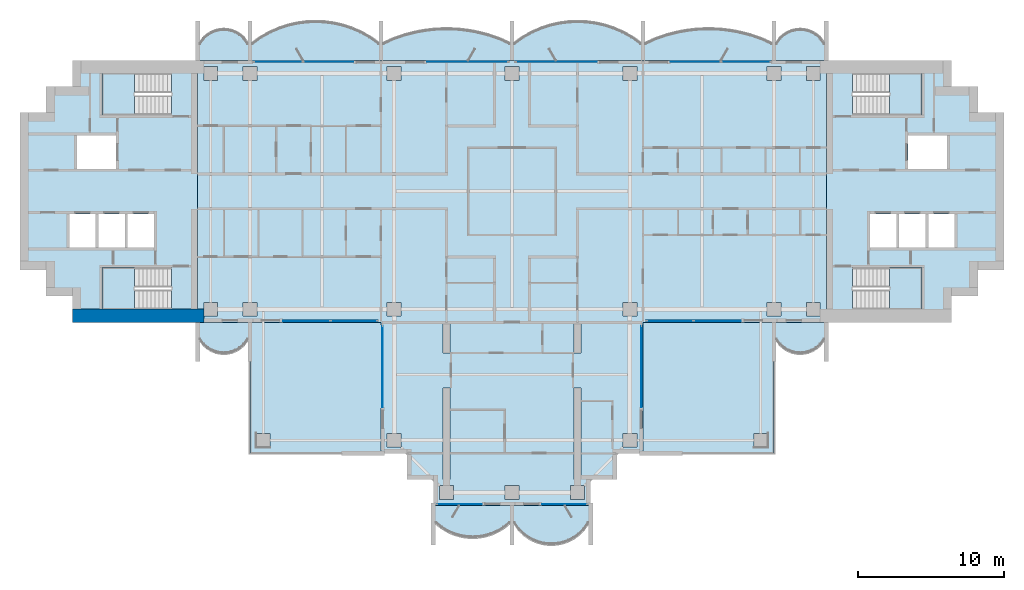
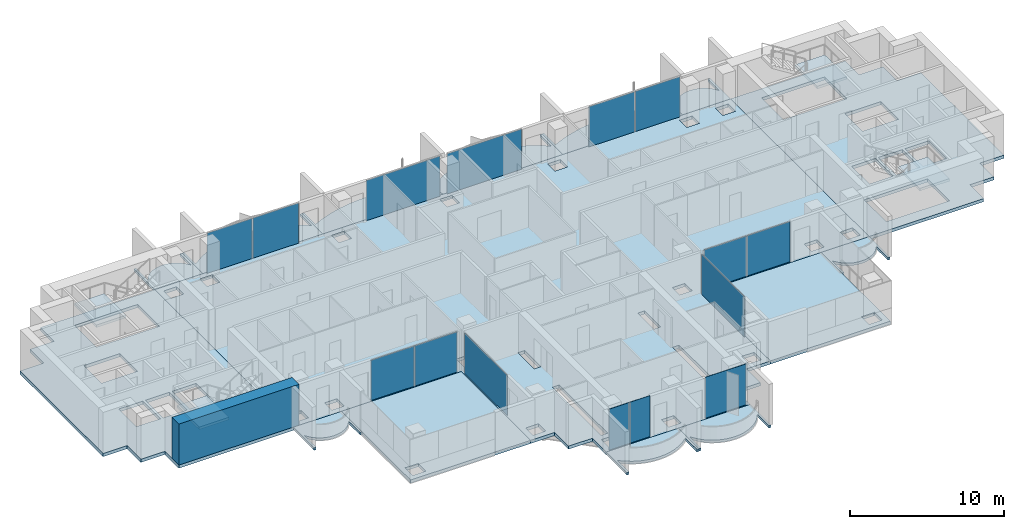
# One storey, part 7 of 17: 19 slabs, 14 plates, 1 wall, 14 elements without a shape of their own.
"""IFC4 building model written with IfcOpenShell, lengths in metres."""

from ifc_helpers import new_model, si_unit, direction, frame, frame_2d, origin, origin_2d, place, context, subcontext, project, spatial, polyline, rectangle, outline, extrude, material, layer, layer_set, type_object, element, aggregate, save


model = new_model("IFC4")

# Units and contexts
model_context = context("Model", 3, precision=1e-05, world=origin(), true_north=direction((0.0, 1.0)))
body_context = subcontext(model_context, "Body", "Model", "MODEL_VIEW")
ifc_project = project(units=[si_unit("LENGTHUNIT", "METRE"), si_unit("AREAUNIT", "SQUARE_METRE"), si_unit("VOLUMEUNIT", "CUBIC_METRE"), si_unit("PLANEANGLEUNIT", "RADIAN"), si_unit("MASSUNIT", "GRAM", prefix="KILO")], contexts=[model_context])

# Site, building, storey
site_placement = place(None, origin())
site = spatial("IfcSite", under=ifc_project, at=site_placement, CompositionType="ELEMENT")
building_placement = place(site_placement, origin())
building = spatial("IfcBuilding", under=site, at=building_placement, Name="Perihelion Cross Residences", CompositionType="ELEMENT")
storey_placement = place(building_placement, frame((0.0, 0.0, 194.60009765625)))
storey = spatial("IfcBuildingStorey", under=building, at=storey_placement, Name="L48", CompositionType="ELEMENT", Elevation=194.60009765625)

# Slabs
ifc_material_1 = material(Name="Concrete C40/50", Category="concrete")
ifc_layer_1 = layer(ifc_material_1, 0.199951171875)
ifc_layer_set_1 = layer_set([ifc_layer_1], Name="Balcony slab 200")
slab_type_1 = type_object("IfcSlabType", Name="Balcony slab 200", PredefinedType="FLOOR", material=ifc_layer_set_1)
slab_1_placement = place(storey_placement, frame((0.0, 0.0, -0.2001953125)))
element("IfcSlab", 1, at=slab_1_placement, inside=storey, type_object=slab_type_1, Name="Slab BK1 L48 east side north bay 1 balcony", PredefinedType="FLOOR", context=body_context, shape_type="SweptSolid", body=[
    extrude(outline(polyline([(21.60009765625, 9.0), (18.0, 9.0), (18.0, 11.699951171875), (18.14990234375, 11.699951171875), (18.14990234375, 10.199951171875), (18.425048828125, 10.568603515625), (18.699951171875, 10.806396484375), (18.97509765625, 10.96875), (19.25, 11.07568359375), (19.52490234375, 11.136962890625), (19.800048828125, 11.156982421875), (20.074951171875, 11.136962890625), (20.35009765625, 11.07568359375), (20.625, 10.96875), (20.89990234375, 10.806396484375), (21.175048828125, 10.568603515625), (21.449951171875, 10.199951171875), (21.449951171875, 11.699951171875), (21.60009765625, 11.699951171875), (21.60009765625, 9.0)])), origin(), (0.0, 0.0, 1.0), 0.2001953125),
])
slab_2_placement = place(storey_placement, frame((0.0, 0.0, -0.2001953125)))
element("IfcSlab", 2, at=slab_2_placement, inside=storey, type_object=slab_type_1, Name="Slab BK1 L48 east side north bay 2 balcony", PredefinedType="FLOOR", context=body_context, shape_type="SweptSolid", body=[
    extrude(outline(polyline([(18.0, 9.0), (9.0, 9.0), (9.0, 11.699951171875), (9.14990234375, 11.699951171875), (9.14990234375, 10.199951171875), (9.875, 10.51708984375), (10.60009765625, 10.7685546875), (11.324951171875, 10.959716796875), (12.050048828125, 11.093994140625), (12.77490234375, 11.173583984375), (13.5, 11.199951171875), (14.22509765625, 11.173583984375), (14.949951171875, 11.093994140625), (15.675048828125, 10.959716796875), (16.39990234375, 10.7685546875), (17.125, 10.51708984375), (17.85009765625, 10.199951171875), (17.85009765625, 11.699951171875), (18.0, 11.699951171875), (18.0, 9.0)])), origin(), (0.0, 0.0, 1.0), 0.2001953125),
])
slab_3_placement = place(storey_placement, frame((0.0, 0.0, -0.2001953125)))
element("IfcSlab", 3, at=slab_3_placement, inside=storey, type_object=slab_type_1, Name="Slab BK1 L48 north side east bay 1 balcony", PredefinedType="FLOOR", context=body_context, shape_type="SweptSolid", body=[
    extrude(outline(polyline([(9.0, 9.0), (0.0, 9.0), (0.0, 11.699951171875), (0.14990234375, 11.699951171875), (0.14990234375, 10.199951171875), (0.771484375, 10.634765625), (1.392822265625, 10.979248046875), (2.014404296875, 11.247802734375), (2.6357421875, 11.44921875), (3.257080078125, 11.589599609375), (3.878662109375, 11.672607421875), (4.5, 11.699951171875), (5.121337890625, 11.672607421875), (5.742919921875, 11.589599609375), (6.3642578125, 11.44921875), (6.985595703125, 11.247802734375), (7.607177734375, 10.979248046875), (8.228515625, 10.634765625), (8.85009765625, 10.199951171875), (8.85009765625, 11.699951171875), (9.0, 11.699951171875), (9.0, 9.0)])), origin(), (0.0, 0.0, 1.0), 0.2001953125),
])
slab_4_placement = place(storey_placement, frame((0.0, 0.0, -0.2001953125)))
element("IfcSlab", 4, at=slab_4_placement, inside=storey, type_object=slab_type_1, Name="Slab BK1 L48 north side east bay 2 balcony", PredefinedType="FLOOR", context=body_context, shape_type="SweptSolid", body=[
    extrude(outline(polyline([(0.0, 9.0), (-9.0, 9.0), (-9.0, 11.699951171875), (-8.85009765625, 11.699951171875), (-8.85009765625, 10.199951171875), (-8.125, 10.51708984375), (-7.39990234375, 10.7685546875), (-6.675048828125, 10.959716796875), (-5.949951171875, 11.093994140625), (-5.22509765625, 11.173583984375), (-4.5, 11.199951171875), (-3.77490234375, 11.173583984375), (-3.050048828125, 11.093994140625), (-2.324951171875, 10.959716796875), (-1.60009765625, 10.7685546875), (-0.875, 10.51708984375), (-0.14990234375, 10.199951171875), (-0.14990234375, 11.699951171875), (0.0, 11.699951171875), (0.0, 9.0)])), origin(), (0.0, 0.0, 1.0), 0.2001953125),
])
slab_5_placement = place(storey_placement, frame((0.0, 0.0, -0.2001953125)))
element("IfcSlab", 5, at=slab_5_placement, inside=storey, type_object=slab_type_1, Name="Slab BK1 L48 west side north bay 1 balcony", PredefinedType="FLOOR", context=body_context, shape_type="SweptSolid", body=[
    extrude(outline(polyline([(-9.0, 9.0), (-18.0, 9.0), (-18.0, 11.699951171875), (-17.85009765625, 11.699951171875), (-17.85009765625, 10.199951171875), (-17.228515625, 10.634765625), (-16.607177734375, 10.979248046875), (-15.985595703125, 11.247802734375), (-15.3642578125, 11.44921875), (-14.742919921875, 11.589599609375), (-14.121337890625, 11.672607421875), (-13.5, 11.699951171875), (-12.878662109375, 11.672607421875), (-12.257080078125, 11.589599609375), (-11.6357421875, 11.44921875), (-11.014404296875, 11.247802734375), (-10.392822265625, 10.979248046875), (-9.771484375, 10.634765625), (-9.14990234375, 10.199951171875), (-9.14990234375, 11.699951171875), (-9.0, 11.699951171875), (-9.0, 9.0)])), origin(), (0.0, 0.0, 1.0), 0.2001953125),
])
slab_6_placement = place(storey_placement, frame((0.0, 0.0, -0.2001953125)))
element("IfcSlab", 6, at=slab_6_placement, inside=storey, type_object=slab_type_1, Name="Slab BK1 L48 west side north bay 2 balcony", PredefinedType="FLOOR", context=body_context, shape_type="SweptSolid", body=[
    extrude(outline(polyline([(-18.0, 9.0), (-21.60009765625, 9.0), (-21.60009765625, 11.699951171875), (-21.449951171875, 11.699951171875), (-21.449951171875, 10.199951171875), (-21.175048828125, 10.568603515625), (-20.89990234375, 10.806396484375), (-20.625, 10.96875), (-20.35009765625, 11.07568359375), (-20.074951171875, 11.136962890625), (-19.800048828125, 11.156982421875), (-19.52490234375, 11.136962890625), (-19.25, 11.07568359375), (-18.97509765625, 10.96875), (-18.699951171875, 10.806396484375), (-18.425048828125, 10.568603515625), (-18.14990234375, 10.199951171875), (-18.14990234375, 11.699951171875), (-18.0, 11.699951171875), (-18.0, 9.0)])), origin(), (0.0, 0.0, 1.0), 0.2001953125),
])
slab_7_placement = place(storey_placement, frame((0.0, 0.0, -0.2001953125)))
element("IfcSlab", 7, at=slab_7_placement, inside=storey, type_object=slab_type_1, Name="Slab BK1 L48 west side south bay 1 balcony", PredefinedType="FLOOR", context=body_context, shape_type="SweptSolid", body=[
    extrude(outline(polyline([(-21.60009765625, -9.0), (-18.0, -9.0), (-18.0, -11.699951171875), (-18.14990234375, -11.699951171875), (-18.14990234375, -10.199951171875), (-18.425048828125, -10.568603515625), (-18.699951171875, -10.806396484375), (-18.97509765625, -10.96875), (-19.25, -11.07568359375), (-19.52490234375, -11.136962890625), (-19.800048828125, -11.156982421875), (-20.074951171875, -11.136962890625), (-20.35009765625, -11.07568359375), (-20.625, -10.96875), (-20.89990234375, -10.806396484375), (-21.175048828125, -10.568603515625), (-21.449951171875, -10.199951171875), (-21.449951171875, -11.699951171875), (-21.60009765625, -11.699951171875), (-21.60009765625, -9.0)])), origin(), (0.0, 0.0, 1.0), 0.2001953125),
])
slab_8_placement = place(storey_placement, frame((0.0, 0.0, -0.2001953125)))
element("IfcSlab", 8, at=slab_8_placement, inside=storey, type_object=slab_type_1, Name="Slab BK1 L48 south tip south bay 1 balcony", PredefinedType="FLOOR", context=body_context, shape_type="SweptSolid", body=[
    extrude(outline(polyline([(-5.39990234375, -21.60009765625), (0.0, -21.60009765625), (0.0, -24.300048828125), (-0.14990234375, -24.300048828125), (-0.14990234375, -22.800048828125), (-0.574951171875, -23.14013671875), (-1.0, -23.392578125), (-1.425048828125, -23.57666015625), (-1.85009765625, -23.702392578125), (-2.27490234375, -23.77587890625), (-2.699951171875, -23.800048828125), (-3.125, -23.77587890625), (-3.550048828125, -23.702392578125), (-3.97509765625, -23.57666015625), (-4.39990234375, -23.392578125), (-4.824951171875, -23.14013671875), (-5.25, -22.800048828125), (-5.25, -24.300048828125), (-5.39990234375, -24.300048828125), (-5.39990234375, -21.60009765625)])), origin(), (0.0, 0.0, 1.0), 0.2001953125),
])
slab_9_placement = place(storey_placement, frame((0.0, 0.0, -0.2001953125)))
element("IfcSlab", 9, at=slab_9_placement, inside=storey, type_object=slab_type_1, Name="Slab BK1 L48 south tip south bay 2 balcony", PredefinedType="FLOOR", context=body_context, shape_type="SweptSolid", body=[
    extrude(outline(polyline([(0.0, -21.60009765625), (5.39990234375, -21.60009765625), (5.39990234375, -24.300048828125), (5.25, -24.300048828125), (5.25, -22.800048828125), (4.909912109375, -23.27685546875), (4.570068359375, -23.60693359375), (4.22998046875, -23.84912109375), (3.889892578125, -24.027099609375), (3.550048828125, -24.1533203125), (3.2099609375, -24.234375), (2.8701171875, -24.274169921875), (2.530029296875, -24.274169921875), (2.18994140625, -24.234375), (1.85009765625, -24.1533203125), (1.510009765625, -24.027099609375), (1.169921875, -23.84912109375), (0.830078125, -23.60693359375), (0.489990234375, -23.27685546875), (0.14990234375, -22.800048828125), (0.14990234375, -24.300048828125), (0.0, -24.300048828125), (0.0, -21.60009765625)])), origin(), (0.0, 0.0, 1.0), 0.2001953125),
])
slab_10_placement = place(storey_placement, frame((0.0, 0.0, -0.2001953125)))
element("IfcSlab", 10, at=slab_10_placement, inside=storey, type_object=slab_type_1, Name="Slab BK1 L48 east side south bay 2 balcony", PredefinedType="FLOOR", context=body_context, shape_type="SweptSolid", body=[
    extrude(outline(polyline([(18.0, -9.0), (21.60009765625, -9.0), (21.60009765625, -11.699951171875), (21.449951171875, -11.699951171875), (21.449951171875, -10.199951171875), (21.175048828125, -10.568603515625), (20.89990234375, -10.806396484375), (20.625, -10.96875), (20.35009765625, -11.07568359375), (20.074951171875, -11.136962890625), (19.800048828125, -11.156982421875), (19.52490234375, -11.136962890625), (19.25, -11.07568359375), (18.97509765625, -10.96875), (18.699951171875, -10.806396484375), (18.425048828125, -10.568603515625), (18.14990234375, -10.199951171875), (18.14990234375, -11.699951171875), (18.0, -11.699951171875), (18.0, -9.0)])), origin(), (0.0, 0.0, 1.0), 0.2001953125),
])

# Curtain wall, plates
ifc_material_2 = material(Name="Bronze anodised aluminium, tinted glazing", Category="aluminium")
curtain_wall_type = type_object("IfcCurtainWallType", Name="CW1", PredefinedType="NOTDEFINED", material=ifc_material_2)
curtain_wall_1_placement = place(storey_placement, origin())
curtain_wall_1 = element("IfcCurtainWall", 11, at=curtain_wall_1_placement, inside=storey, type_object=curtain_wall_type, Name="Curtain wall CW1 L48 east side north bay 2", PredefinedType="NOTDEFINED")
ifc_material_3 = material(Name="Tinted laminated glass", Category="glass")
ifc_layer_2 = layer(ifc_material_3, 0.028076171875)
ifc_layer_set_2 = layer_set([ifc_layer_2], Name="CW1 panel")
plate_type = type_object("IfcPlateType", Name="CW1 panel", PredefinedType="CURTAIN_PANEL", material=ifc_layer_set_2)
plate_1_placement = place(storey_placement, frame((16.06005859375, 8.89990234375, 0.0), z_axis=(0.0, 0.0, 1.0), x_axis=(-1.0, 0.0, 0.0)))
plate_1 = element("IfcPlate", 12, at=plate_1_placement, type_object=plate_type, Name="CW1 panel 1", PredefinedType="CURTAIN_PANEL", context=body_context, shape_type="SweptSolid", body=[
    extrude(rectangle(XDim=3.360107421875, YDim=0.028076171875, at=origin_2d()), origin(), (0.0, 0.0, 1.0), 3.18994140625),
])
plate_2_placement = place(storey_placement, frame((12.610107421875, 8.89990234375, 0.0), z_axis=(0.0, 0.0, 1.0), x_axis=(-1.0, 0.0, 0.0)))
plate_2 = element("IfcPlate", 13, at=plate_2_placement, type_object=plate_type, Name="CW1 panel 2", PredefinedType="CURTAIN_PANEL", context=body_context, shape_type="SweptSolid", body=[
    extrude(rectangle(XDim=3.419921875, YDim=0.028076171875, at=origin_2d()), origin(), (0.0, 0.0, 1.0), 3.18994140625),
])
aggregate(curtain_wall_1, [plate_1, plate_2])

# Curtain wall, plate
curtain_wall_2_placement = place(storey_placement, origin())
curtain_wall_2 = element("IfcCurtainWall", 14, at=curtain_wall_2_placement, inside=storey, type_object=curtain_wall_type, Name="Curtain wall CW1 L48 north side east bay 1", PredefinedType="NOTDEFINED")
plate_3_placement = place(storey_placement, frame((3.04248046875, 8.89990234375, 0.0), z_axis=(0.0, 0.0, 1.0), x_axis=(-1.0, 0.0, 0.0)))
plate_3 = element("IfcPlate", 15, at=plate_3_placement, type_object=plate_type, Name="CW1 panel 1", PredefinedType="CURTAIN_PANEL", context=body_context, shape_type="SweptSolid", body=[
    extrude(rectangle(XDim=5.56494140625, YDim=0.028076171875, at=origin_2d()), origin(), (0.0, 0.0, 1.0), 3.18994140625),
])
aggregate(curtain_wall_2, [plate_3])

curtain_wall_3_placement = place(storey_placement, origin())
curtain_wall_3 = element("IfcCurtainWall", 16, at=curtain_wall_3_placement, inside=storey, type_object=curtain_wall_type, Name="Curtain wall CW1 L48 north side east bay 2", PredefinedType="NOTDEFINED")
plate_4_placement = place(storey_placement, frame((-3.04248046875, 8.89990234375, 0.0), z_axis=(0.0, 0.0, 1.0), x_axis=(-1.0, 0.0, 0.0)))
plate_4 = element("IfcPlate", 17, at=plate_4_placement, type_object=plate_type, Name="CW1 panel 1", PredefinedType="CURTAIN_PANEL", context=body_context, shape_type="SweptSolid", body=[
    extrude(rectangle(XDim=5.56494140625, YDim=0.028076171875, at=origin_2d()), origin(), (0.0, 0.0, 1.0), 3.18994140625),
])
aggregate(curtain_wall_3, [plate_4])

# Curtain wall, plates
curtain_wall_4_placement = place(storey_placement, origin())
curtain_wall_4 = element("IfcCurtainWall", 18, at=curtain_wall_4_placement, inside=storey, type_object=curtain_wall_type, Name="Curtain wall CW1 L48 west side north bay 1", PredefinedType="NOTDEFINED")
plate_5_placement = place(storey_placement, frame((-12.610107421875, 8.89990234375, 0.0), z_axis=(0.0, 0.0, 1.0), x_axis=(-1.0, 0.0, 0.0)))
plate_5 = element("IfcPlate", 19, at=plate_5_placement, type_object=plate_type, Name="CW1 panel 1", PredefinedType="CURTAIN_PANEL", context=body_context, shape_type="SweptSolid", body=[
    extrude(rectangle(XDim=3.419921875, YDim=0.028076171875, at=origin_2d()), origin(), (0.0, 0.0, 1.0), 3.18994140625),
])
plate_6_placement = place(storey_placement, frame((-16.06005859375, 8.89990234375, 0.0), z_axis=(0.0, 0.0, 1.0), x_axis=(-1.0, 0.0, 0.0)))
plate_6 = element("IfcPlate", 20, at=plate_6_placement, type_object=plate_type, Name="CW1 panel 2", PredefinedType="CURTAIN_PANEL", context=body_context, shape_type="SweptSolid", body=[
    extrude(rectangle(XDim=3.360107421875, YDim=0.028076171875, at=origin_2d()), origin(), (0.0, 0.0, 1.0), 3.18994140625),
])
aggregate(curtain_wall_4, [plate_5, plate_6])

curtain_wall_5_placement = place(storey_placement, origin())
curtain_wall_5 = element("IfcCurtainWall", 21, at=curtain_wall_5_placement, inside=storey, type_object=curtain_wall_type, Name="Curtain wall CW1 L48 west side south bay 2", PredefinedType="NOTDEFINED")
plate_7_placement = place(storey_placement, frame((-14.108642578125, -8.89990234375, 0.0), z_axis=(0.0, 0.0, 1.0), x_axis=(1.0, 0.0, 0.0)))
plate_7 = element("IfcPlate", 22, at=plate_7_placement, type_object=plate_type, Name="CW1 panel 1", PredefinedType="CURTAIN_PANEL", context=body_context, shape_type="SweptSolid", body=[
    extrude(rectangle(XDim=3.232421875, YDim=0.028076171875, at=origin_2d()), origin(), (0.0, 0.0, 1.0), 3.18994140625),
])
plate_8_placement = place(storey_placement, frame((-10.84619140625, -8.89990234375, 0.0), z_axis=(0.0, 0.0, 1.0), x_axis=(1.0, 0.0, 0.0)))
plate_8 = element("IfcPlate", 23, at=plate_8_placement, type_object=plate_type, Name="CW1 panel 2", PredefinedType="CURTAIN_PANEL", context=body_context, shape_type="SweptSolid", body=[
    extrude(rectangle(XDim=3.172607421875, YDim=0.028076171875, at=origin_2d()), origin(), (0.0, 0.0, 1.0), 3.18994140625),
])
aggregate(curtain_wall_5, [plate_7, plate_8])

# Curtain wall, plate
curtain_wall_6_placement = place(storey_placement, origin())
curtain_wall_6 = element("IfcCurtainWall", 24, at=curtain_wall_6_placement, inside=storey, type_object=curtain_wall_type, Name="Curtain wall CW1 L48 south side west bay 1", PredefinedType="NOTDEFINED")
plate_9_placement = place(storey_placement, frame((-8.89990234375, -12.04248046875, 0.0), z_axis=(0.0, 0.0, 1.0), x_axis=(0.0, -1.0, 0.0)))
plate_9 = element("IfcPlate", 25, at=plate_9_placement, type_object=plate_type, Name="CW1 panel 1", PredefinedType="CURTAIN_PANEL", context=body_context, shape_type="SweptSolid", body=[
    extrude(rectangle(XDim=5.56494140625, YDim=0.028076171875, at=origin_2d()), origin(), (0.0, 0.0, 1.0), 3.18994140625),
])
aggregate(curtain_wall_6, [plate_9])

curtain_wall_7_placement = place(storey_placement, origin())
curtain_wall_7 = element("IfcCurtainWall", 26, at=curtain_wall_7_placement, inside=storey, type_object=curtain_wall_type, Name="Curtain wall CW1 L48 south tip south bay 1", PredefinedType="NOTDEFINED")
plate_10_placement = place(storey_placement, frame((-3.607421875, -21.5, 0.0), z_axis=(0.0, 0.0, 1.0), x_axis=(1.0, 0.0, 0.0)))
plate_10 = element("IfcPlate", 27, at=plate_10_placement, type_object=plate_type, Name="CW1 panel 1", PredefinedType="CURTAIN_PANEL", context=body_context, shape_type="SweptSolid", body=[
    extrude(rectangle(XDim=3.06494140625, YDim=0.028076171875, at=origin_2d()), origin(), (0.0, 0.0, 1.0), 3.25),
])
aggregate(curtain_wall_7, [plate_10])

curtain_wall_8_placement = place(storey_placement, origin())
curtain_wall_8 = element("IfcCurtainWall", 28, at=curtain_wall_8_placement, inside=storey, type_object=curtain_wall_type, Name="Curtain wall CW1 L48 south tip south bay 2", PredefinedType="NOTDEFINED")
plate_11_placement = place(storey_placement, frame((3.607421875, -21.5, 0.0), z_axis=(0.0, 0.0, 1.0), x_axis=(1.0, 0.0, 0.0)))
plate_11 = element("IfcPlate", 29, at=plate_11_placement, type_object=plate_type, Name="CW1 panel 1", PredefinedType="CURTAIN_PANEL", context=body_context, shape_type="SweptSolid", body=[
    extrude(rectangle(XDim=3.06494140625, YDim=0.028076171875, at=origin_2d()), origin(), (0.0, 0.0, 1.0), 3.25),
])
aggregate(curtain_wall_8, [plate_11])

curtain_wall_9_placement = place(storey_placement, origin())
curtain_wall_9 = element("IfcCurtainWall", 30, at=curtain_wall_9_placement, inside=storey, type_object=curtain_wall_type, Name="Curtain wall CW1 L48 south side east bay 1", PredefinedType="NOTDEFINED")
plate_12_placement = place(storey_placement, frame((8.89990234375, -12.04248046875, 0.0), z_axis=(0.0, 0.0, 1.0), x_axis=(0.0, 1.0, 0.0)))
plate_12 = element("IfcPlate", 31, at=plate_12_placement, type_object=plate_type, Name="CW1 panel 1", PredefinedType="CURTAIN_PANEL", context=body_context, shape_type="SweptSolid", body=[
    extrude(rectangle(XDim=5.56494140625, YDim=0.028076171875, at=origin_2d()), origin(), (0.0, 0.0, 1.0), 3.18994140625),
])
aggregate(curtain_wall_9, [plate_12])

# Curtain wall, plates
curtain_wall_10_placement = place(storey_placement, origin())
curtain_wall_10 = element("IfcCurtainWall", 32, at=curtain_wall_10_placement, inside=storey, type_object=curtain_wall_type, Name="Curtain wall CW1 L48 east side south bay 1", PredefinedType="NOTDEFINED")
plate_13_placement = place(storey_placement, frame((10.84619140625, -8.89990234375, 0.0), z_axis=(0.0, 0.0, 1.0), x_axis=(1.0, 0.0, 0.0)))
plate_13 = element("IfcPlate", 33, at=plate_13_placement, type_object=plate_type, Name="CW1 panel 1", PredefinedType="CURTAIN_PANEL", context=body_context, shape_type="SweptSolid", body=[
    extrude(rectangle(XDim=3.172607421875, YDim=0.028076171875, at=origin_2d()), origin(), (0.0, 0.0, 1.0), 3.18994140625),
])
plate_14_placement = place(storey_placement, frame((14.108642578125, -8.89990234375, 0.0), z_axis=(0.0, 0.0, 1.0), x_axis=(1.0, 0.0, 0.0)))
plate_14 = element("IfcPlate", 34, at=plate_14_placement, type_object=plate_type, Name="CW1 panel 2", PredefinedType="CURTAIN_PANEL", context=body_context, shape_type="SweptSolid", body=[
    extrude(rectangle(XDim=3.232421875, YDim=0.028076171875, at=origin_2d()), origin(), (0.0, 0.0, 1.0), 3.18994140625),
])
aggregate(curtain_wall_10, [plate_13, plate_14])

# Slabs
ifc_material_4 = material(Name="Concrete C40/50", Category="concrete")
ifc_layer_3 = layer(ifc_material_4, 0.25)
ifc_layer_set_3 = layer_set([ifc_layer_3], Name="Core floor slab 250")
slab_type_2 = type_object("IfcSlabType", Name="Core floor slab 250", PredefinedType="FLOOR", material=ifc_layer_set_3)
slab_11_placement = place(storey_placement, frame((0.0, 0.0, -0.25)))
element("IfcSlab", 35, at=slab_11_placement, inside=storey, type_object=slab_type_2, Name="East core floor slab", PredefinedType="FLOOR", context=body_context, shape_type="SweptSolid", body=[
    extrude(outline(polyline([(30.199951171875, 7.199951171875), (32.0, 7.199951171875), (32.0, 5.39990234375), (33.800048828125, 5.39990234375), (33.800048828125, -5.39990234375), (32.0, -5.39990234375), (32.0, -7.199951171875), (30.199951171875, -7.199951171875), (30.199951171875, -9.0), (21.60009765625, -9.0), (21.60009765625, 9.0), (30.199951171875, 9.0), (30.199951171875, 7.199951171875)]), holes=[polyline([(28.14990234375, -8.10009765625), (28.14990234375, -5.25), (23.405029296875, -5.25), (23.405029296875, -8.10009765625), (28.14990234375, -8.10009765625)]), polyline([(24.60009765625, -1.550048828125), (24.60009765625, -3.85009765625), (26.39990234375, -3.85009765625), (26.39990234375, -1.550048828125), (24.60009765625, -1.550048828125)]), polyline([(26.60009765625, -1.550048828125), (26.60009765625, -3.85009765625), (28.39990234375, -3.85009765625), (28.39990234375, -1.550048828125), (26.60009765625, -1.550048828125)]), polyline([(28.60009765625, -3.85009765625), (30.39990234375, -3.85009765625), (30.39990234375, -1.550048828125), (28.60009765625, -1.550048828125), (28.60009765625, -3.85009765625)]), polyline([(27.199951171875, 3.85009765625), (27.199951171875, 1.550048828125), (29.89990234375, 1.550048828125), (29.89990234375, 3.85009765625), (27.199951171875, 3.85009765625)]), polyline([(23.405029296875, 5.25), (28.14990234375, 5.25), (28.14990234375, 8.10009765625), (23.405029296875, 8.10009765625), (23.405029296875, 5.25)])]), origin(), (0.0, 0.0, 1.0), 0.25),
])
slab_12_placement = place(storey_placement, frame((0.0, 0.0, -0.25)))
element("IfcSlab", 36, at=slab_12_placement, inside=storey, type_object=slab_type_2, Name="West core floor slab", PredefinedType="FLOOR", context=body_context, shape_type="SweptSolid", body=[
    extrude(outline(polyline([(-30.199951171875, 7.199951171875), (-32.0, 7.199951171875), (-32.0, 5.39990234375), (-33.800048828125, 5.39990234375), (-33.800048828125, -5.39990234375), (-32.0, -5.39990234375), (-32.0, -7.199951171875), (-30.199951171875, -7.199951171875), (-30.199951171875, -9.0), (-21.60009765625, -9.0), (-21.60009765625, 9.0), (-30.199951171875, 9.0), (-30.199951171875, 7.199951171875)]), holes=[polyline([(-28.14990234375, -8.10009765625), (-28.14990234375, -5.25), (-23.405029296875, -5.25), (-23.405029296875, -8.10009765625), (-28.14990234375, -8.10009765625)]), polyline([(-24.60009765625, -1.550048828125), (-24.60009765625, -3.85009765625), (-26.39990234375, -3.85009765625), (-26.39990234375, -1.550048828125), (-24.60009765625, -1.550048828125)]), polyline([(-26.60009765625, -1.550048828125), (-26.60009765625, -3.85009765625), (-28.39990234375, -3.85009765625), (-28.39990234375, -1.550048828125), (-26.60009765625, -1.550048828125)]), polyline([(-28.60009765625, -3.85009765625), (-30.39990234375, -3.85009765625), (-30.39990234375, -1.550048828125), (-28.60009765625, -1.550048828125), (-28.60009765625, -3.85009765625)]), polyline([(-27.199951171875, 3.85009765625), (-27.199951171875, 1.550048828125), (-29.89990234375, 1.550048828125), (-29.89990234375, 3.85009765625), (-27.199951171875, 3.85009765625)]), polyline([(-23.405029296875, 5.25), (-28.14990234375, 5.25), (-28.14990234375, 8.10009765625), (-23.405029296875, 8.10009765625), (-23.405029296875, 5.25)])]), origin(), (0.0, 0.0, 1.0), 0.25),
])
ifc_material_5 = material(Name="Concrete C40/50", Category="concrete")
ifc_layer_4 = layer(ifc_material_5, 0.25)
ifc_layer_set_4 = layer_set([ifc_layer_4], Name="Corner terrace slab")
slab_type_3 = type_object("IfcSlabType", Name="Corner terrace slab", PredefinedType="FLOOR", material=ifc_layer_set_4)
slab_13_placement = place(storey_placement, frame((0.0, 0.0, -0.25)))
element("IfcSlab", 37, at=slab_13_placement, inside=storey, type_object=slab_type_3, Name="Slab BK2 L48 pocket south-west", PredefinedType="FLOOR", context=body_context, shape_type="SweptSolid", body=[
    extrude(outline(polyline([(-9.0, -18.0), (-9.0, -9.0), (-18.0, -9.0), (-18.0, -18.0), (-9.0, -18.0)]), holes=[polyline([(-16.625, -17.614990234375), (-17.614990234375, -17.614990234375), (-17.614990234375, -16.5849609375), (-17.574951171875, -16.5849609375), (-17.574951171875, -16.625), (-16.625, -16.625), (-16.625, -17.614990234375)])]), origin(), (0.0, 0.0, 1.0), 0.25),
])
slab_14_placement = place(storey_placement, frame((0.0, 0.0, -0.25)))
element("IfcSlab", 38, at=slab_14_placement, inside=storey, type_object=slab_type_3, Name="Slab BK2 L48 pocket south-east", PredefinedType="FLOOR", context=body_context, shape_type="SweptSolid", body=[
    extrude(outline(polyline([(18.0, -18.0), (18.0, -9.0), (9.0, -9.0), (9.0, -18.0), (18.0, -18.0)]), holes=[polyline([(16.625, -17.614990234375), (16.625, -16.625), (17.574951171875, -16.625), (17.574951171875, -16.5849609375), (17.614990234375, -16.5849609375), (17.614990234375, -17.614990234375), (16.625, -17.614990234375)])]), origin(), (0.0, 0.0, 1.0), 0.25),
])

# Stair, slab
ifc_material_6 = material(Name="Concrete C40/50", Category="concrete")
stair_type = type_object("IfcStairType", Name="Exit stair, half-turn", PredefinedType="HALF_TURN_STAIR", material=ifc_material_6)
stair_1_placement = place(storey_placement, origin())
stair_1 = element("IfcStair", 39, at=stair_1_placement, inside=storey, type_object=stair_type, Name="L48 East core exit stair 1", PredefinedType="HALF_TURN_STAIR")
ifc_material_7 = material(Name="Concrete C40/50", Category="concrete")
ifc_layer_5 = layer(ifc_material_7, 0.199951171875)
ifc_layer_set_5 = layer_set([ifc_layer_5], Name="Exit stair landing 200")
slab_type_4 = type_object("IfcSlabType", Name="Exit stair landing 200", PredefinedType="LANDING", material=ifc_layer_set_5)
slab_15_placement = place(storey_placement, frame((0.0, 0.0, 1.5498046875)))
slab_15 = element("IfcSlab", 40, at=slab_15_placement, type_object=slab_type_4, Name="ST-E1 landing 1", PredefinedType="LANDING", context=body_context, shape_type="SweptSolid", body=[
    extrude(outline(polyline([(25.919921875, 5.25), (28.14990234375, 5.25), (28.14990234375, 8.10009765625), (25.919921875, 8.10009765625), (25.919921875, 5.25)])), origin(), (0.0, 0.0, 1.0), 0.2001953125),
])
aggregate(stair_1, [slab_15])

stair_2_placement = place(storey_placement, origin())
stair_2 = element("IfcStair", 41, at=stair_2_placement, inside=storey, type_object=stair_type, Name="L48 East core exit stair 2", PredefinedType="HALF_TURN_STAIR")
slab_16_placement = place(storey_placement, frame((0.0, 0.0, 1.5498046875)))
slab_16 = element("IfcSlab", 42, at=slab_16_placement, type_object=slab_type_4, Name="ST-E2 landing 1", PredefinedType="LANDING", context=body_context, shape_type="SweptSolid", body=[
    extrude(outline(polyline([(25.919921875, -8.10009765625), (28.14990234375, -8.10009765625), (28.14990234375, -5.25), (25.919921875, -5.25), (25.919921875, -8.10009765625)])), origin(), (0.0, 0.0, 1.0), 0.2001953125),
])
aggregate(stair_2, [slab_16])

stair_3_placement = place(storey_placement, origin())
stair_3 = element("IfcStair", 43, at=stair_3_placement, inside=storey, type_object=stair_type, Name="L48 West core exit stair 1", PredefinedType="HALF_TURN_STAIR")
slab_17_placement = place(storey_placement, frame((0.0, 0.0, 1.5498046875)))
slab_17 = element("IfcSlab", 44, at=slab_17_placement, type_object=slab_type_4, Name="ST-W1 landing 1", PredefinedType="LANDING", context=body_context, shape_type="SweptSolid", body=[
    extrude(outline(polyline([(-25.919921875, 8.10009765625), (-28.14990234375, 8.10009765625), (-28.14990234375, 5.25), (-25.919921875, 5.25), (-25.919921875, 8.10009765625)])), origin(), (0.0, 0.0, 1.0), 0.2001953125),
])
aggregate(stair_3, [slab_17])

stair_4_placement = place(storey_placement, origin())
stair_4 = element("IfcStair", 45, at=stair_4_placement, inside=storey, type_object=stair_type, Name="L48 West core exit stair 2", PredefinedType="HALF_TURN_STAIR")
slab_18_placement = place(storey_placement, frame((0.0, 0.0, 1.5498046875)))
slab_18 = element("IfcSlab", 46, at=slab_18_placement, type_object=slab_type_4, Name="ST-W2 landing 1", PredefinedType="LANDING", context=body_context, shape_type="SweptSolid", body=[
    extrude(outline(polyline([(-25.919921875, -5.25), (-28.14990234375, -5.25), (-28.14990234375, -8.10009765625), (-25.919921875, -8.10009765625), (-25.919921875, -5.25)])), origin(), (0.0, 0.0, 1.0), 0.2001953125),
])
aggregate(stair_4, [slab_18])

# Slab
ifc_material_8 = material(Name="Concrete C50/60", Category="concrete")
ifc_layer_6 = layer(ifc_material_8, 0.25)
ifc_layer_set_6 = layer_set([ifc_layer_6], Name="Residential floor post-tensioned slab concrete C50/60")
slab_type_5 = type_object("IfcSlabType", Name="Residential floor post-tensioned slab concrete C50/60", PredefinedType="FLOOR", material=ifc_layer_set_6)
slab_19_placement = place(storey_placement, frame((0.0, 0.0, -0.25)))
element("IfcSlab", 47, at=slab_19_placement, inside=storey, type_object=slab_type_5, Name="Slab SL8 L48 1 no. 1", PredefinedType="FLOOR", context=body_context, shape_type="SweptSolid", body=[
    extrude(outline(polyline([(-9.0, 9.0), (9.0, 9.0), (21.60009765625, 9.0), (21.60009765625, -9.0), (9.0, -9.0), (9.0, -18.0), (7.199951171875, -18.0), (7.199951171875, -19.800048828125), (5.39990234375, -19.800048828125), (5.39990234375, -21.60009765625), (-5.39990234375, -21.60009765625), (-5.39990234375, -19.800048828125), (-7.199951171875, -19.800048828125), (-7.199951171875, -18.0), (-9.0, -18.0), (-9.0, -9.0), (-21.60009765625, -9.0), (-21.60009765625, 9.0), (-9.0, 9.0)]), holes=[polyline([(-4.02490234375, -20.22509765625), (-4.97509765625, -20.22509765625), (-4.97509765625, -21.175048828125), (-4.02490234375, -21.175048828125), (-4.02490234375, -20.22509765625)]), polyline([(0.47509765625, -21.175048828125), (0.47509765625, -20.22509765625), (-0.47509765625, -20.22509765625), (-0.47509765625, -21.175048828125), (0.47509765625, -21.175048828125)]), polyline([(-7.625, -17.574951171875), (-7.625, -16.625), (-8.574951171875, -16.625), (-8.574951171875, -17.574951171875), (-7.625, -17.574951171875)]), polyline([(-4.25, -13.5), (-4.75, -13.5), (-4.75, -19.800048828125), (-4.25, -19.800048828125), (-4.25, -13.5)]), polyline([(-4.25, -11.10009765625), (-4.25, -9.0), (-4.75, -9.0), (-4.75, -11.10009765625), (-4.25, -11.10009765625)]), polyline([(-20.22509765625, -8.574951171875), (-20.22509765625, -7.625), (-21.175048828125, -7.625), (-21.175048828125, -8.574951171875), (-20.22509765625, -8.574951171875)]), polyline([(-17.52490234375, -7.625), (-18.47509765625, -7.625), (-18.47509765625, -8.574951171875), (-17.52490234375, -8.574951171875), (-17.52490234375, -7.625)]), polyline([(-7.625, -8.574951171875), (-7.625, -7.625), (-8.574951171875, -7.625), (-8.574951171875, -8.574951171875), (-7.625, -8.574951171875)]), polyline([(-20.22509765625, 8.574951171875), (-21.175048828125, 8.574951171875), (-21.175048828125, 7.625), (-20.22509765625, 7.625), (-20.22509765625, 8.574951171875)]), polyline([(-17.52490234375, 7.625), (-17.52490234375, 8.574951171875), (-18.47509765625, 8.574951171875), (-18.47509765625, 7.625), (-17.52490234375, 7.625)]), polyline([(-7.625, 7.625), (-7.625, 8.574951171875), (-8.574951171875, 8.574951171875), (-8.574951171875, 7.625), (-7.625, 7.625)]), polyline([(4.97509765625, -20.22509765625), (4.02490234375, -20.22509765625), (4.02490234375, -21.175048828125), (4.97509765625, -21.175048828125), (4.97509765625, -20.22509765625)]), polyline([(8.574951171875, -17.574951171875), (8.574951171875, -16.625), (7.625, -16.625), (7.625, -17.574951171875), (8.574951171875, -17.574951171875)]), polyline([(4.75, -19.800048828125), (4.75, -13.5), (4.25, -13.5), (4.25, -19.800048828125), (4.75, -19.800048828125)]), polyline([(4.75, -9.0), (4.25, -9.0), (4.25, -11.10009765625), (4.75, -11.10009765625), (4.75, -9.0)]), polyline([(8.574951171875, -8.574951171875), (8.574951171875, -7.625), (7.625, -7.625), (7.625, -8.574951171875), (8.574951171875, -8.574951171875)]), polyline([(18.47509765625, -8.574951171875), (18.47509765625, -7.625), (17.52490234375, -7.625), (17.52490234375, -8.574951171875), (18.47509765625, -8.574951171875)]), polyline([(21.175048828125, -7.625), (20.22509765625, -7.625), (20.22509765625, -8.574951171875), (21.175048828125, -8.574951171875), (21.175048828125, -7.625)]), polyline([(0.47509765625, 7.625), (0.47509765625, 8.574951171875), (-0.47509765625, 8.574951171875), (-0.47509765625, 7.625), (0.47509765625, 7.625)]), polyline([(8.574951171875, 8.574951171875), (7.625, 8.574951171875), (7.625, 7.625), (8.574951171875, 7.625), (8.574951171875, 8.574951171875)]), polyline([(18.47509765625, 7.625), (18.47509765625, 8.574951171875), (17.52490234375, 8.574951171875), (17.52490234375, 7.625), (18.47509765625, 7.625)]), polyline([(21.175048828125, 7.625), (21.175048828125, 8.574951171875), (20.22509765625, 8.574951171875), (20.22509765625, 7.625), (21.175048828125, 7.625)])]), origin(), (0.0, 0.0, 1.0), 0.25),
])

# Wall
ifc_material_9 = material(Name="Concrete C60/75", Category="concrete")
ifc_layer_7 = layer(ifc_material_9, 0.89990234375)
ifc_layer_set_7 = layer_set([ifc_layer_7], Name="Core wall, outer 900")
wall_type = type_object("IfcWallType", Name="Core wall, outer 900", PredefinedType="SHEAR", material=ifc_layer_set_7)
wall_placement = place(storey_placement, frame((-30.199951171875, -8.550048828125, 0.0), z_axis=(0.0, 0.0, 1.0), x_axis=(1.0, 0.0, 0.0)))
element("IfcWall", 48, at=wall_placement, inside=storey, type_object=wall_type, Name="West core core wall, outer", PredefinedType="SHEAR", context=body_context, shape_type="SweptSolid", body=[
    extrude(rectangle(XDim=9.02490234375, YDim=0.89990234375, at=frame_2d((4.512451171875, 0.0))), origin(), (0.0, 0.0, 1.0), 3.25),
])

save(model, "model.ifc")
